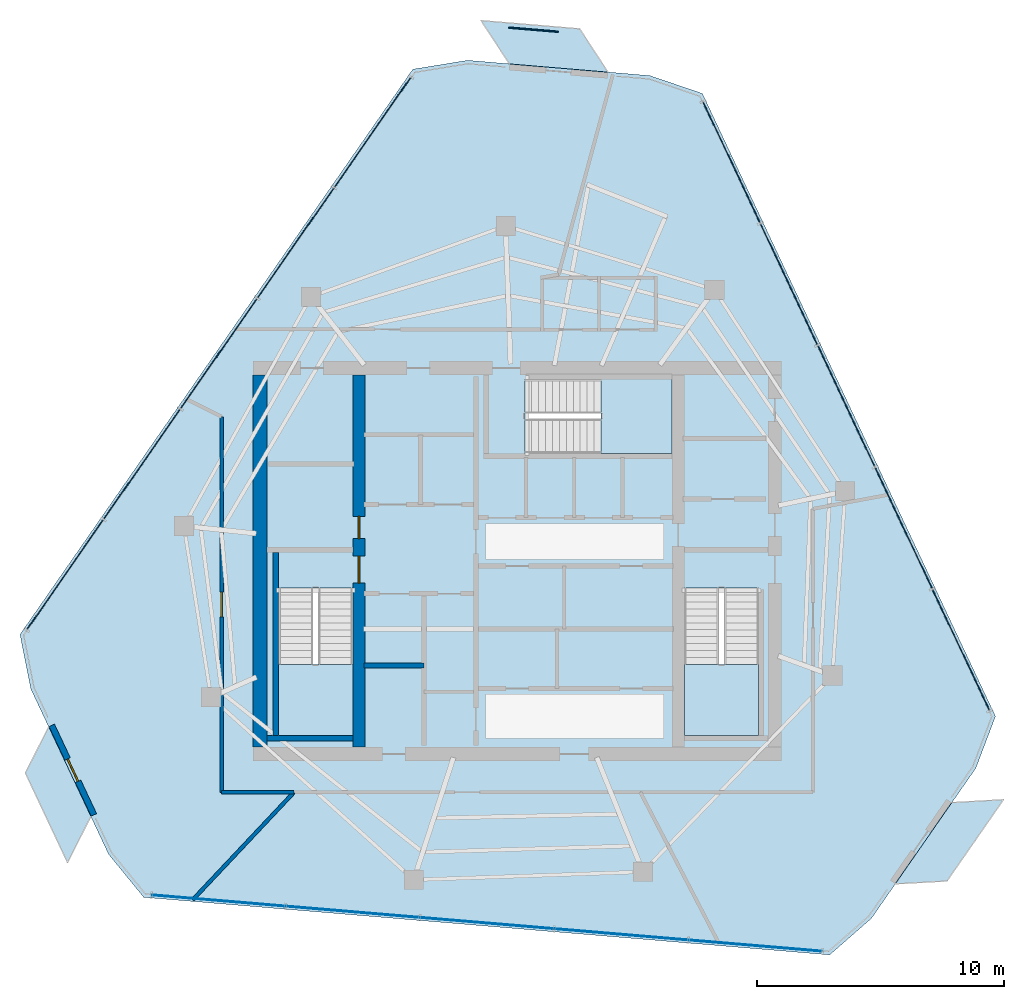
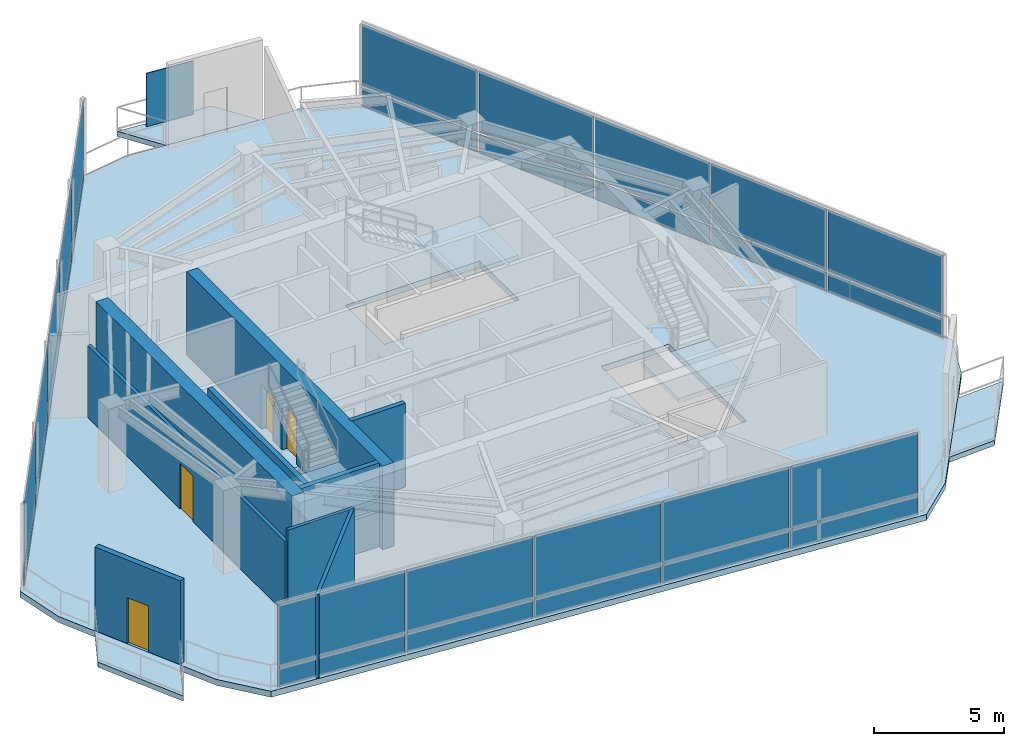
# One storey, part 14 of 19: 31 plates, 9 walls, 7 slabs, 4 doors, 4 openings, 6 elements without a shape of their own.
"""IFC4 building model written with IfcOpenShell, lengths in metres."""

import ifcopenshell
import ifcopenshell.guid

model = None  # the IFC model being written
_history = None  # IfcOwnerHistory: only IFC2X3 demands one
_inside = {}  # id of a spatial element -> (the spatial element, [elements in it])
_under = {}  # id of a project, library or spatial element -> (it, [spatial elements below it])
_declared = {}  # id of a project -> (the project, [libraries it declares])
_typed = {}  # id of a type object -> (the type object, [elements of that type])
_made_of = {}  # id of a material, layer set ... -> (it, [elements and type objects made of it])


def new_model(schema):
    """Start an empty IFC model of exactly this schema.

    Asked for "IFC4X3", IfcOpenShell would pick the latest addendum, in which some entities
    have other attributes; the version numbers below select the first issue.
    IFC2X3 requires an IfcOwnerHistory on every rooted entity: one is made here for all.
    """
    global model, _history
    if schema == "IFC4X3":
        model = ifcopenshell.file(schema_version=(4, 3, 0, 0))
    else:
        model = ifcopenshell.file(schema=schema)
    _inside.clear()
    _under.clear()
    _declared.clear()
    _typed.clear()
    _made_of.clear()
    _history = None
    if model.schema == "IFC2X3":
        org = make("IfcOrganization", Name="unknown")
        user = make(
            "IfcPersonAndOrganization",
            ThePerson=make("IfcPerson", FamilyName="unknown"),
            TheOrganization=org,
        )
        app = make(
            "IfcApplication",
            ApplicationDeveloper=org,
            Version="unknown",
            ApplicationFullName="unknown",
            ApplicationIdentifier="unknown",
        )
        _history = make(
            "IfcOwnerHistory",
            OwningUser=user,
            OwningApplication=app,
            ChangeAction="ADDED",
            CreationDate=0,
        )
    return model


def make(cls, **values):
    """One entity of the class cls with the attributes given. An attribute that is None is left unset."""
    return model.create_entity(
        cls, **{name: value for name, value in values.items() if value is not None}
    )


def rooted(cls, **values):
    """An entity with a GlobalId (a new one), such as an element, a storey or a relation."""
    return make(cls, GlobalId=ifcopenshell.guid.new(), OwnerHistory=_history, **values)


def si_unit(unit_type, name, prefix=None):
    """IfcSIUnit, for example si_unit("LENGTHUNIT", "METRE", prefix="MILLI")."""
    return make("IfcSIUnit", UnitType=unit_type, Prefix=prefix, Name=name)


def assignment(units):
    """IfcUnitAssignment: the units of a project."""
    return None if units is None else make("IfcUnitAssignment", Units=units)


def point(xyz):
    """IfcCartesianPoint."""
    return None if xyz is None else make("IfcCartesianPoint", Coordinates=xyz)


def direction(xyz):
    """IfcDirection."""
    return None if xyz is None else make("IfcDirection", DirectionRatios=xyz)


def frame(location, z_axis=None, x_axis=None):
    """IfcAxis2Placement3D, a coordinate frame: its origin and axes. An axis left out is left unset."""
    return make(
        "IfcAxis2Placement3D",
        Location=point(location),
        Axis=direction(z_axis),
        RefDirection=direction(x_axis),
    )


def frame_2d(location, x_axis=None):
    """IfcAxis2Placement2D, a coordinate frame in the plane: its origin and x axis."""
    return make(
        "IfcAxis2Placement2D", Location=point(location), RefDirection=direction(x_axis)
    )


def origin():
    """The frame at (0, 0, 0) with its axes left unset."""
    return frame((0.0, 0.0, 0.0))


def origin_2d():
    """The frame at (0, 0) in the plane with its x axis left unset."""
    return frame_2d((0.0, 0.0))


def place(relative_to, where):
    """IfcLocalPlacement: puts the frame where relative to a parent placement (None: the world)."""
    return make(
        "IfcLocalPlacement", PlacementRelTo=relative_to, RelativePlacement=where
    )


def context(
    kind, dimensions, precision=None, world=None, true_north=None, identifier=None
):
    """IfcGeometricRepresentationContext, for example the 3D "Model" context."""
    return make(
        "IfcGeometricRepresentationContext",
        ContextIdentifier=identifier,
        ContextType=kind,
        CoordinateSpaceDimension=dimensions,
        Precision=precision,
        WorldCoordinateSystem=world,
        TrueNorth=true_north,
    )


def subcontext(parent, identifier, kind, view, scale=None):
    """IfcGeometricRepresentationSubContext, for example "Body" below "Model"."""
    return make(
        "IfcGeometricRepresentationSubContext",
        ContextIdentifier=identifier,
        ContextType=kind,
        ParentContext=parent,
        TargetScale=scale,
        TargetView=view,
    )


def project(units=None, contexts=None):
    """IfcProject with its units and contexts."""
    return rooted(
        "IfcProject",
        Name="project",
        RepresentationContexts=contexts,
        UnitsInContext=assignment(units),
    )


def spatial(cls, under=None, at=None, **own):
    """A site, building, storey or space (cls), placed at a placement, below another one or the project."""
    s = rooted(cls, ObjectPlacement=at, **own)
    if under is not None:
        _under.setdefault(under.id(), (under, []))[1].append(s)
    return s


def polyline(points):
    """IfcPolyline through the points."""
    return make("IfcPolyline", Points=[point(p) for p in points])


def profile(cls, at=None, kind="AREA", **sizes):
    """A parametric profile (cls). Its sizes go by their IFC names, for example OverallWidth=200.0."""
    return make(cls, ProfileType=kind, Position=at, **sizes)


def rectangle(**sizes):
    """IfcRectangleProfileDef."""
    return profile("IfcRectangleProfileDef", **sizes)


def outline(outer, holes=None, kind="AREA"):
    """IfcArbitraryClosedProfileDef: a profile drawn as a closed curve; with holes, ...WithVoids."""
    if holes is None:
        return make("IfcArbitraryClosedProfileDef", ProfileType=kind, OuterCurve=outer)
    return make(
        "IfcArbitraryProfileDefWithVoids",
        ProfileType=kind,
        OuterCurve=outer,
        InnerCurves=holes,
    )


def extrude(swept, where, along, depth):
    """IfcExtrudedAreaSolid: the profile swept, set in the frame where, extruded along a direction by depth."""
    return make(
        "IfcExtrudedAreaSolid",
        SweptArea=swept,
        Position=where,
        ExtrudedDirection=direction(along),
        Depth=depth,
    )


def shape(context_of_items, identifier, shape_type, items):
    """IfcShapeRepresentation: the items that make up one representation, for example the "Body"."""
    return make(
        "IfcShapeRepresentation",
        ContextOfItems=context_of_items,
        RepresentationIdentifier=identifier,
        RepresentationType=shape_type,
        Items=items,
    )


def material(Name=None, Category=None):
    """IfcMaterial."""
    return make("IfcMaterial", Name=Name, Category=Category)


def layer(
    of_material, thickness, ventilated=None, Name=None, Category=None, Priority=None
):
    """IfcMaterialLayer: one layer of a wall or slab, of a material (None: an air gap)."""
    return make(
        "IfcMaterialLayer",
        Material=of_material,
        LayerThickness=thickness,
        IsVentilated=ventilated,
        Name=Name,
        Category=Category,
        Priority=Priority,
    )


def layer_set(layers, Name=None):
    """IfcMaterialLayerSet."""
    return make("IfcMaterialLayerSet", MaterialLayers=layers, LayerSetName=Name)


def made_of(thing, what):
    """Note that an element or type object is made of a material, layer set ...; save() writes the relation."""
    if what is not None:
        _made_of.setdefault(what.id(), (what, []))[1].append(thing)
    return thing


def type_object(cls, material=None, **own):
    """A type object (cls), such as IfcWallType, which elements share."""
    return made_of(rooted(cls, **own), material)


def element(
    cls,
    number,
    at=None,
    inside=None,
    cuts=None,
    type_object=None,
    material=None,
    context=None,
    identifier="Body",
    shape_type=None,
    held_by="IfcProductDefinitionShape",
    body=None,
    shapes=None,
    **own,
):
    """One element of the class cls, such as IfcWall. Its Tag is "e" and its number.

    at: its placement. inside: the storey or other place that contains it. cuts: it is an
    opening in that element (IfcRelVoidsElement). A single representation is given by context,
    identifier, shape_type and body (its items); several are given by shapes. held_by: the class
    of the entity that holds the representations. save() writes the other relations.
    """
    e = rooted(cls, Tag="e%d" % number, ObjectPlacement=at, **own)
    if body is not None:
        shapes = [shape(context, identifier, shape_type, body)]
    if shapes is not None:
        e.Representation = make(held_by, Representations=shapes)
    if inside is not None:
        _inside.setdefault(inside.id(), (inside, []))[1].append(e)
    if cuts is not None:
        rooted(
            "IfcRelVoidsElement", RelatingBuildingElement=cuts, RelatedOpeningElement=e
        )
    if type_object is not None:
        _typed.setdefault(type_object.id(), (type_object, []))[1].append(e)
    return made_of(e, material)


def fill(opening, filler):
    """IfcRelFillsElement: the door or window that sits in an opening."""
    return rooted(
        "IfcRelFillsElement",
        RelatingOpeningElement=opening,
        RelatedBuildingElement=filler,
    )


def aggregate(whole, parts):
    """IfcRelAggregates: a whole, such as a stair, and the parts it consists of."""
    return rooted("IfcRelAggregates", RelatingObject=whole, RelatedObjects=parts)


def save(model, path):
    """Write the relations noted so far, then the file.

    IfcRelAggregates (storeys below a building ...), IfcRelContainedInSpatialStructure (elements
    in a storey), IfcRelDefinesByType, IfcRelAssociatesMaterial and IfcRelDeclares: one each for
    every whole, place, type object, material and project.
    """
    for whole, parts in _under.values():
        aggregate(whole, parts)
    for where, things in _inside.values():
        rooted(
            "IfcRelContainedInSpatialStructure",
            RelatedElements=things,
            RelatingStructure=where,
        )
    for kind, things in _typed.values():
        rooted("IfcRelDefinesByType", RelatedObjects=things, RelatingType=kind)
    for what, things in _made_of.values():
        rooted("IfcRelAssociatesMaterial", RelatedObjects=things, RelatingMaterial=what)
    for by, libraries in _declared.values():
        rooted("IfcRelDeclares", RelatingContext=by, RelatedDefinitions=libraries)
    model.write(path)


model = new_model("IFC4")

# Units and contexts
model_context = context("Model", 3, precision=1e-05, world=origin(), true_north=direction((0.0, 1.0)))
body_context = subcontext(model_context, "Body", "Model", "MODEL_VIEW")
ifc_project = project(units=[si_unit("LENGTHUNIT", "METRE"), si_unit("AREAUNIT", "SQUARE_METRE"), si_unit("VOLUMEUNIT", "CUBIC_METRE"), si_unit("PLANEANGLEUNIT", "RADIAN"), si_unit("MASSUNIT", "GRAM", prefix="KILO")], contexts=[model_context])

# Site, building, storey
site_placement = place(None, origin())
site = spatial("IfcSite", under=ifc_project, at=site_placement, CompositionType="ELEMENT")
building_placement = place(site_placement, origin())
building = spatial("IfcBuilding", under=site, at=building_placement, Name="Qarnah Convention Tower", CompositionType="ELEMENT")
storey_placement = place(building_placement, frame((0.0, 0.0, 275.10009765625)))
storey = spatial("IfcBuildingStorey", under=building, at=storey_placement, Name="L74", CompositionType="ELEMENT", Elevation=275.10009765625)

# Curtain wall, plates
ifc_material_1 = material(Name="Tempered Low-E dark glass", Category="glass")
ifc_layer_1 = layer(ifc_material_1, 0.177978515625)
ifc_layer_set_1 = layer_set([ifc_layer_1], Name="Tempered Low-E dark glass")
curtain_wall_type = type_object("IfcCurtainWallType", Name="CWS-06", PredefinedType="NOTDEFINED", material=ifc_layer_set_1)
curtain_wall_1_placement = place(storey_placement, origin())
curtain_wall_1 = element("IfcCurtainWall", 1, at=curtain_wall_1_placement, inside=storey, type_object=curtain_wall_type, Name="L74 unitised curtain wall CW-L74-F1", PredefinedType="NOTDEFINED")
ifc_layer_2 = layer(ifc_material_1, 0.0380859375)
ifc_layer_set_2 = layer_set([ifc_layer_2], Name="Tempered Low-E dark glass")
plate_type_1 = type_object("IfcPlateType", Name="PNL-T6", PredefinedType="CURTAIN_PANEL", material=ifc_layer_set_2)
plate_1_placement = place(storey_placement, frame((45.85595703125, 42.506103515625, 0.039794921875), z_axis=(0.0, 0.0, 1.0), x_axis=(0.425793504503, -0.904820364229, 0.0)))
plate_1 = element("IfcPlate", 2, at=plate_1_placement, type_object=plate_type_1, Name="CW-L74-F1 curtain panel 1.1", PredefinedType="CURTAIN_PANEL", context=body_context, shape_type="SweptSolid", body=[
    extrude(rectangle(XDim=5.364013671875, YDim=0.0380859375, at=origin_2d()), origin(), (0.0, 0.0, 1.0), 0.8701171875),
])
plate_2_placement = place(storey_placement, frame((45.85595703125, 42.506103515625, 0.98974609375), z_axis=(0.0, 0.0, 1.0), x_axis=(0.425793504503, -0.904820364229, 0.0)))
plate_2 = element("IfcPlate", 3, at=plate_2_placement, type_object=plate_type_1, Name="CW-L74-F1 curtain panel 1.2", PredefinedType="CURTAIN_PANEL", context=body_context, shape_type="SweptSolid", body=[
    extrude(rectangle(XDim=5.364013671875, YDim=0.0380859375, at=origin_2d()), origin(), (0.0, 0.0, 1.0), 2.889892578125),
])
plate_3_placement = place(storey_placement, frame((48.174072265625, 37.580322265625, 0.039794921875), z_axis=(0.0, 0.0, 1.0), x_axis=(0.425793504503, -0.904820364229, 0.0)))
plate_3 = element("IfcPlate", 4, at=plate_3_placement, type_object=plate_type_1, Name="CW-L74-F1 curtain panel 2.1", PredefinedType="CURTAIN_PANEL", context=body_context, shape_type="SweptSolid", body=[
    extrude(rectangle(XDim=5.364013671875, YDim=0.0380859375, at=origin_2d()), origin(), (0.0, 0.0, 1.0), 0.8701171875),
])
plate_4_placement = place(storey_placement, frame((48.174072265625, 37.580322265625, 0.98974609375), z_axis=(0.0, 0.0, 1.0), x_axis=(0.425793504503, -0.904820364229, 0.0)))
plate_4 = element("IfcPlate", 5, at=plate_4_placement, type_object=plate_type_1, Name="CW-L74-F1 curtain panel 2.2", PredefinedType="CURTAIN_PANEL", context=body_context, shape_type="SweptSolid", body=[
    extrude(rectangle(XDim=5.364013671875, YDim=0.0380859375, at=origin_2d()), origin(), (0.0, 0.0, 1.0), 2.889892578125),
])
plate_5_placement = place(storey_placement, frame((50.491943359375, 32.654541015625, 0.039794921875), z_axis=(0.0, 0.0, 1.0), x_axis=(0.425793504503, -0.904820364229, 0.0)))
plate_5 = element("IfcPlate", 6, at=plate_5_placement, type_object=plate_type_1, Name="CW-L74-F1 curtain panel 3.1", PredefinedType="CURTAIN_PANEL", context=body_context, shape_type="SweptSolid", body=[
    extrude(rectangle(XDim=5.364013671875, YDim=0.0380859375, at=origin_2d()), origin(), (0.0, 0.0, 1.0), 0.8701171875),
])
plate_6_placement = place(storey_placement, frame((50.491943359375, 32.654541015625, 0.98974609375), z_axis=(0.0, 0.0, 1.0), x_axis=(0.425793504503, -0.904820364229, 0.0)))
plate_6 = element("IfcPlate", 7, at=plate_6_placement, type_object=plate_type_1, Name="CW-L74-F1 curtain panel 3.2", PredefinedType="CURTAIN_PANEL", context=body_context, shape_type="SweptSolid", body=[
    extrude(rectangle(XDim=5.364013671875, YDim=0.0380859375, at=origin_2d()), origin(), (0.0, 0.0, 1.0), 2.889892578125),
])
plate_7_placement = place(storey_placement, frame((52.81005859375, 27.728759765625, 0.039794921875), z_axis=(0.0, 0.0, 1.0), x_axis=(0.425793504503, -0.904820364229, 0.0)))
plate_7 = element("IfcPlate", 8, at=plate_7_placement, type_object=plate_type_1, Name="CW-L74-F1 curtain panel 4.1", PredefinedType="CURTAIN_PANEL", context=body_context, shape_type="SweptSolid", body=[
    extrude(rectangle(XDim=5.364013671875, YDim=0.0380859375, at=origin_2d()), origin(), (0.0, 0.0, 1.0), 0.8701171875),
])
plate_8_placement = place(storey_placement, frame((52.81005859375, 27.728759765625, 0.98974609375), z_axis=(0.0, 0.0, 1.0), x_axis=(0.425793504503, -0.904820364229, 0.0)))
plate_8 = element("IfcPlate", 9, at=plate_8_placement, type_object=plate_type_1, Name="CW-L74-F1 curtain panel 4.2", PredefinedType="CURTAIN_PANEL", context=body_context, shape_type="SweptSolid", body=[
    extrude(rectangle(XDim=5.364013671875, YDim=0.0380859375, at=origin_2d()), origin(), (0.0, 0.0, 1.0), 2.889892578125),
])
plate_9_placement = place(storey_placement, frame((55.1279296875, 22.802978515625, 0.039794921875), z_axis=(0.0, 0.0, 1.0), x_axis=(0.425793504503, -0.904820364229, 0.0)))
plate_9 = element("IfcPlate", 10, at=plate_9_placement, type_object=plate_type_1, Name="CW-L74-F1 curtain panel 5.1", PredefinedType="CURTAIN_PANEL", context=body_context, shape_type="SweptSolid", body=[
    extrude(rectangle(XDim=5.364013671875, YDim=0.0380859375, at=origin_2d()), origin(), (0.0, 0.0, 1.0), 0.8701171875),
])
plate_10_placement = place(storey_placement, frame((55.1279296875, 22.802978515625, 0.98974609375), z_axis=(0.0, 0.0, 1.0), x_axis=(0.425793504503, -0.904820364229, 0.0)))
plate_10 = element("IfcPlate", 11, at=plate_10_placement, type_object=plate_type_1, Name="CW-L74-F1 curtain panel 5.2", PredefinedType="CURTAIN_PANEL", context=body_context, shape_type="SweptSolid", body=[
    extrude(rectangle(XDim=5.364013671875, YDim=0.0380859375, at=origin_2d()), origin(), (0.0, 0.0, 1.0), 2.889892578125),
])
aggregate(curtain_wall_1, [plate_1, plate_2, plate_3, plate_4, plate_5, plate_6, plate_7, plate_8, plate_9, plate_10])

curtain_wall_2_placement = place(storey_placement, origin())
curtain_wall_2 = element("IfcCurtainWall", 12, at=curtain_wall_2_placement, inside=storey, type_object=curtain_wall_type, Name="L74 unitised curtain wall CW-L74-F2", PredefinedType="NOTDEFINED")
plate_11_placement = place(storey_placement, frame((46.820556640625, 10.8505859375, 0.039794921875), z_axis=(0.0, 0.0, 1.0), x_axis=(-0.996494899207, 0.08365354657, 0.0)))
plate_11 = element("IfcPlate", 13, at=plate_11_placement, type_object=plate_type_1, Name="CW-L74-F2 curtain panel 1.1", PredefinedType="CURTAIN_PANEL", context=body_context, shape_type="SweptSolid", body=[
    extrude(rectangle(XDim=5.36376953125, YDim=0.0380859375, at=origin_2d()), origin(), (0.0, 0.0, 1.0), 0.8701171875),
])
plate_12_placement = place(storey_placement, frame((46.820556640625, 10.8505859375, 0.98974609375), z_axis=(0.0, 0.0, 1.0), x_axis=(-0.996494899207, 0.08365354657, 0.0)))
plate_12 = element("IfcPlate", 14, at=plate_12_placement, type_object=plate_type_1, Name="CW-L74-F2 curtain panel 1.2", PredefinedType="CURTAIN_PANEL", context=body_context, shape_type="SweptSolid", body=[
    extrude(rectangle(XDim=5.36376953125, YDim=0.0380859375, at=origin_2d()), origin(), (0.0, 0.0, 1.0), 2.889892578125),
])
plate_13_placement = place(storey_placement, frame((41.395751953125, 11.30615234375, 0.039794921875), z_axis=(0.0, 0.0, 1.0), x_axis=(-0.996494899207, 0.08365354657, 0.0)))
plate_13 = element("IfcPlate", 15, at=plate_13_placement, type_object=plate_type_1, Name="CW-L74-F2 curtain panel 2.1", PredefinedType="CURTAIN_PANEL", context=body_context, shape_type="SweptSolid", body=[
    extrude(rectangle(XDim=5.36376953125, YDim=0.0380859375, at=origin_2d()), origin(), (0.0, 0.0, 1.0), 0.8701171875),
])
plate_14_placement = place(storey_placement, frame((41.395751953125, 11.30615234375, 0.98974609375), z_axis=(0.0, 0.0, 1.0), x_axis=(-0.996494899207, 0.08365354657, 0.0)))
plate_14 = element("IfcPlate", 16, at=plate_14_placement, type_object=plate_type_1, Name="CW-L74-F2 curtain panel 2.2", PredefinedType="CURTAIN_PANEL", context=body_context, shape_type="SweptSolid", body=[
    extrude(rectangle(XDim=5.36376953125, YDim=0.0380859375, at=origin_2d()), origin(), (0.0, 0.0, 1.0), 2.889892578125),
])
plate_15_placement = place(storey_placement, frame((35.970947265625, 11.761474609375, 0.039794921875), z_axis=(0.0, 0.0, 1.0), x_axis=(-0.996494899207, 0.08365354657, 0.0)))
plate_15 = element("IfcPlate", 17, at=plate_15_placement, type_object=plate_type_1, Name="CW-L74-F2 curtain panel 3.1", PredefinedType="CURTAIN_PANEL", context=body_context, shape_type="SweptSolid", body=[
    extrude(rectangle(XDim=5.36376953125, YDim=0.0380859375, at=origin_2d()), origin(), (0.0, 0.0, 1.0), 0.8701171875),
])
plate_16_placement = place(storey_placement, frame((35.970947265625, 11.761474609375, 0.98974609375), z_axis=(0.0, 0.0, 1.0), x_axis=(-0.996494899207, 0.08365354657, 0.0)))
plate_16 = element("IfcPlate", 18, at=plate_16_placement, type_object=plate_type_1, Name="CW-L74-F2 curtain panel 3.2", PredefinedType="CURTAIN_PANEL", context=body_context, shape_type="SweptSolid", body=[
    extrude(rectangle(XDim=5.36376953125, YDim=0.0380859375, at=origin_2d()), origin(), (0.0, 0.0, 1.0), 2.889892578125),
])
plate_17_placement = place(storey_placement, frame((30.546142578125, 12.216796875, 0.039794921875), z_axis=(0.0, 0.0, 1.0), x_axis=(-0.996494899207, 0.08365354657, 0.0)))
plate_17 = element("IfcPlate", 19, at=plate_17_placement, type_object=plate_type_1, Name="CW-L74-F2 curtain panel 4.1", PredefinedType="CURTAIN_PANEL", context=body_context, shape_type="SweptSolid", body=[
    extrude(rectangle(XDim=5.36376953125, YDim=0.0380859375, at=origin_2d()), origin(), (0.0, 0.0, 1.0), 0.8701171875),
])
plate_18_placement = place(storey_placement, frame((30.546142578125, 12.216796875, 0.98974609375), z_axis=(0.0, 0.0, 1.0), x_axis=(-0.996494899207, 0.08365354657, 0.0)))
plate_18 = element("IfcPlate", 20, at=plate_18_placement, type_object=plate_type_1, Name="CW-L74-F2 curtain panel 4.2", PredefinedType="CURTAIN_PANEL", context=body_context, shape_type="SweptSolid", body=[
    extrude(rectangle(XDim=5.36376953125, YDim=0.0380859375, at=origin_2d()), origin(), (0.0, 0.0, 1.0), 2.889892578125),
])
plate_19_placement = place(storey_placement, frame((25.121337890625, 12.67236328125, 0.039794921875), z_axis=(0.0, 0.0, 1.0), x_axis=(-0.996494899207, 0.08365354657, 0.0)))
plate_19 = element("IfcPlate", 21, at=plate_19_placement, type_object=plate_type_1, Name="CW-L74-F2 curtain panel 5.1", PredefinedType="CURTAIN_PANEL", context=body_context, shape_type="SweptSolid", body=[
    extrude(rectangle(XDim=5.36376953125, YDim=0.0380859375, at=origin_2d()), origin(), (0.0, 0.0, 1.0), 0.8701171875),
])
plate_20_placement = place(storey_placement, frame((25.121337890625, 12.67236328125, 0.98974609375), z_axis=(0.0, 0.0, 1.0), x_axis=(-0.996494899207, 0.08365354657, 0.0)))
plate_20 = element("IfcPlate", 22, at=plate_20_placement, type_object=plate_type_1, Name="CW-L74-F2 curtain panel 5.2", PredefinedType="CURTAIN_PANEL", context=body_context, shape_type="SweptSolid", body=[
    extrude(rectangle(XDim=5.36376953125, YDim=0.0380859375, at=origin_2d()), origin(), (0.0, 0.0, 1.0), 2.889892578125),
])
aggregate(curtain_wall_2, [plate_11, plate_12, plate_13, plate_14, plate_15, plate_16, plate_17, plate_18, plate_19, plate_20])

curtain_wall_3_placement = place(storey_placement, origin())
curtain_wall_3 = element("IfcCurtainWall", 23, at=curtain_wall_3_placement, inside=storey, type_object=curtain_wall_type, Name="L74 unitised curtain wall CW-L74-F3", PredefinedType="NOTDEFINED")
plate_21_placement = place(storey_placement, frame((18.92333984375, 25.843994140625, 0.039794921875), z_axis=(0.0, 0.0, 1.0), x_axis=(0.570722123713, 0.821143262473, 0.0)))
plate_21 = element("IfcPlate", 24, at=plate_21_placement, type_object=plate_type_1, Name="CW-L74-F3 curtain panel 1.1", PredefinedType="CURTAIN_PANEL", context=body_context, shape_type="SweptSolid", body=[
    extrude(rectangle(XDim=5.363525390625, YDim=0.0380859375, at=origin_2d()), origin(), (0.0, 0.0, 1.0), 0.8701171875),
])
plate_22_placement = place(storey_placement, frame((18.92333984375, 25.843994140625, 0.98974609375), z_axis=(0.0, 0.0, 1.0), x_axis=(0.570722123713, 0.821143262473, 0.0)))
plate_22 = element("IfcPlate", 25, at=plate_22_placement, type_object=plate_type_1, Name="CW-L74-F3 curtain panel 1.2", PredefinedType="CURTAIN_PANEL", context=body_context, shape_type="SweptSolid", body=[
    extrude(rectangle(XDim=5.363525390625, YDim=0.0380859375, at=origin_2d()), origin(), (0.0, 0.0, 1.0), 2.889892578125),
])
plate_23_placement = place(storey_placement, frame((22.0302734375, 30.31396484375, 0.039794921875), z_axis=(0.0, 0.0, 1.0), x_axis=(0.570722123713, 0.821143262473, 0.0)))
plate_23 = element("IfcPlate", 26, at=plate_23_placement, type_object=plate_type_1, Name="CW-L74-F3 curtain panel 2.1", PredefinedType="CURTAIN_PANEL", context=body_context, shape_type="SweptSolid", body=[
    extrude(rectangle(XDim=5.363525390625, YDim=0.0380859375, at=origin_2d()), origin(), (0.0, 0.0, 1.0), 0.8701171875),
])
plate_24_placement = place(storey_placement, frame((22.0302734375, 30.31396484375, 0.98974609375), z_axis=(0.0, 0.0, 1.0), x_axis=(0.570722123713, 0.821143262473, 0.0)))
plate_24 = element("IfcPlate", 27, at=plate_24_placement, type_object=plate_type_1, Name="CW-L74-F3 curtain panel 2.2", PredefinedType="CURTAIN_PANEL", context=body_context, shape_type="SweptSolid", body=[
    extrude(rectangle(XDim=5.363525390625, YDim=0.0380859375, at=origin_2d()), origin(), (0.0, 0.0, 1.0), 2.889892578125),
])
plate_25_placement = place(storey_placement, frame((25.136962890625, 34.783935546875, 0.039794921875), z_axis=(0.0, 0.0, 1.0), x_axis=(0.570722123713, 0.821143262473, 0.0)))
plate_25 = element("IfcPlate", 28, at=plate_25_placement, type_object=plate_type_1, Name="CW-L74-F3 curtain panel 3.1", PredefinedType="CURTAIN_PANEL", context=body_context, shape_type="SweptSolid", body=[
    extrude(rectangle(XDim=5.363525390625, YDim=0.0380859375, at=origin_2d()), origin(), (0.0, 0.0, 1.0), 0.8701171875),
])
plate_26_placement = place(storey_placement, frame((25.136962890625, 34.783935546875, 0.98974609375), z_axis=(0.0, 0.0, 1.0), x_axis=(0.570722123713, 0.821143262473, 0.0)))
plate_26 = element("IfcPlate", 29, at=plate_26_placement, type_object=plate_type_1, Name="CW-L74-F3 curtain panel 3.2", PredefinedType="CURTAIN_PANEL", context=body_context, shape_type="SweptSolid", body=[
    extrude(rectangle(XDim=5.363525390625, YDim=0.0380859375, at=origin_2d()), origin(), (0.0, 0.0, 1.0), 2.889892578125),
])
plate_27_placement = place(storey_placement, frame((28.243896484375, 39.25390625, 0.039794921875), z_axis=(0.0, 0.0, 1.0), x_axis=(0.570722123713, 0.821143262473, 0.0)))
plate_27 = element("IfcPlate", 30, at=plate_27_placement, type_object=plate_type_1, Name="CW-L74-F3 curtain panel 4.1", PredefinedType="CURTAIN_PANEL", context=body_context, shape_type="SweptSolid", body=[
    extrude(rectangle(XDim=5.363525390625, YDim=0.0380859375, at=origin_2d()), origin(), (0.0, 0.0, 1.0), 0.8701171875),
])
plate_28_placement = place(storey_placement, frame((28.243896484375, 39.25390625, 0.98974609375), z_axis=(0.0, 0.0, 1.0), x_axis=(0.570722123713, 0.821143262473, 0.0)))
plate_28 = element("IfcPlate", 31, at=plate_28_placement, type_object=plate_type_1, Name="CW-L74-F3 curtain panel 4.2", PredefinedType="CURTAIN_PANEL", context=body_context, shape_type="SweptSolid", body=[
    extrude(rectangle(XDim=5.363525390625, YDim=0.0380859375, at=origin_2d()), origin(), (0.0, 0.0, 1.0), 2.889892578125),
])
plate_29_placement = place(storey_placement, frame((31.3505859375, 43.72412109375, 0.039794921875), z_axis=(0.0, 0.0, 1.0), x_axis=(0.570722123713, 0.821143262473, 0.0)))
plate_29 = element("IfcPlate", 32, at=plate_29_placement, type_object=plate_type_1, Name="CW-L74-F3 curtain panel 5.1", PredefinedType="CURTAIN_PANEL", context=body_context, shape_type="SweptSolid", body=[
    extrude(rectangle(XDim=5.363525390625, YDim=0.0380859375, at=origin_2d()), origin(), (0.0, 0.0, 1.0), 0.8701171875),
])
plate_30_placement = place(storey_placement, frame((31.3505859375, 43.72412109375, 0.98974609375), z_axis=(0.0, 0.0, 1.0), x_axis=(0.570722123713, 0.821143262473, 0.0)))
plate_30 = element("IfcPlate", 33, at=plate_30_placement, type_object=plate_type_1, Name="CW-L74-F3 curtain panel 5.2", PredefinedType="CURTAIN_PANEL", context=body_context, shape_type="SweptSolid", body=[
    extrude(rectangle(XDim=5.363525390625, YDim=0.0380859375, at=origin_2d()), origin(), (0.0, 0.0, 1.0), 2.889892578125),
])
aggregate(curtain_wall_3, [plate_21, plate_22, plate_23, plate_24, plate_25, plate_26, plate_27, plate_28, plate_29, plate_30])

# Plate
ifc_material_2 = material(Name="Black anodised aluminium", Category="aluminium")
ifc_layer_3 = layer(ifc_material_2, 0.044921875)
ifc_layer_set_3 = layer_set([ifc_layer_3], Name="Black anodised aluminium")
plate_type_2 = type_object("IfcPlateType", Name="SCR-BAL-18", PredefinedType="USERDEFINED", material=ifc_layer_set_3)
plate_31_placement = place(storey_placement, frame((37.85693359375, 47.8701171875, 0.0), z_axis=(0.0, 0.0, 1.0), x_axis=(0.996507740088, -0.083500442777, 0.0)))
element("IfcPlate", 34, at=plate_31_placement, inside=storey, type_object=plate_type_2, Name="L74 perforated desert solar screen BAL-L74-C1", ObjectType="SCREEN", PredefinedType="USERDEFINED", context=body_context, shape_type="SweptSolid", body=[
    extrude(rectangle(XDim=2.0, YDim=0.044921875, at=origin_2d()), origin(), (0.0, 0.0, 1.0), 2.5),
])

# Slabs
ifc_material_3 = material(Name="Concrete C45/55", Category="concrete")
ifc_layer_4 = layer(ifc_material_3, 0.239990234375)
ifc_layer_set_4 = layer_set([ifc_layer_4], Name="Concrete C45/55")
slab_type_1 = type_object("IfcSlabType", Name="SLB-BAL-240", PredefinedType="USERDEFINED", material=ifc_layer_set_4)
slab_1_placement = place(storey_placement, frame((0.0, 0.0, -0.239990234375)))
element("IfcSlab", 35, at=slab_1_placement, inside=storey, type_object=slab_type_1, Name="L74 cantilevered balcony slab BAL-L74-C1", ObjectType="BALCONY", PredefinedType="USERDEFINED", context=body_context, shape_type="SweptSolid", body=[
    extrude(outline(polyline([(35.73291015625, 48.238037109375), (39.718994140625, 47.904052734375), (40.864990234375, 46.153076171875), (36.87890625, 46.487060546875), (35.73291015625, 48.238037109375)])), origin(), (0.0, 0.0, 1.0), 0.239990234375),
])
slab_2_placement = place(storey_placement, frame((0.0, 0.0, -0.239990234375)))
element("IfcSlab", 36, at=slab_2_placement, inside=storey, type_object=slab_type_1, Name="L74 cantilevered balcony slab BAL-L74-C2", ObjectType="BALCONY", PredefinedType="USERDEFINED", context=body_context, shape_type="SweptSolid", body=[
    extrude(outline(polyline([(19.02099609375, 14.2109375), (17.318115234375, 17.830078125), (18.260986328125, 19.697998046875), (19.965087890625, 16.077880859375), (19.02099609375, 14.2109375)])), origin(), (0.0, 0.0, 1.0), 0.239990234375),
])
slab_3_placement = place(storey_placement, frame((0.0, 0.0, -0.239990234375)))
element("IfcSlab", 37, at=slab_3_placement, inside=storey, type_object=slab_type_1, Name="L74 cantilevered balcony slab BAL-L74-C3", ObjectType="BALCONY", PredefinedType="USERDEFINED", context=body_context, shape_type="SweptSolid", body=[
    extrude(outline(polyline([(56.845947265625, 16.7509765625), (54.56298828125, 13.467041015625), (52.47412109375, 13.35009765625), (54.757080078125, 16.634033203125), (56.845947265625, 16.7509765625)])), origin(), (0.0, 0.0, 1.0), 0.239990234375),
])

# Stair, slab
ifc_material_4 = material(Name="Concrete C50/60", Category="concrete")
stair_type = type_object("IfcStairType", Name="STR-SUM", PredefinedType="HALF_TURN_STAIR", material=ifc_material_4)
stair_1_placement = place(storey_placement, origin())
stair_1 = element("IfcStair", 38, at=stair_1_placement, inside=storey, type_object=stair_type, Name="L74 Core exit stair ST-1", PredefinedType="HALF_TURN_STAIR")
ifc_layer_5 = layer(ifc_material_4, 0.199951171875)
ifc_layer_set_5 = layer_set([ifc_layer_5], Name="Concrete C50/60")
slab_type_2 = type_object("IfcSlabType", Name="SLB-LANDING-200", PredefinedType="LANDING", material=ifc_layer_set_5)
slab_4_placement = place(storey_placement, frame((0.0, 0.0, 1.89990234375)))
slab_4 = element("IfcSlab", 39, at=slab_4_placement, type_object=slab_type_2, Name="ST-1 landing 1", PredefinedType="LANDING", context=body_context, shape_type="SweptSolid", body=[
    extrude(outline(polyline([(27.550048828125, 22.219970703125), (27.550048828125, 19.35009765625), (30.550048828125, 19.35009765625), (30.550048828125, 22.219970703125), (27.550048828125, 22.219970703125)])), origin(), (0.0, 0.0, 1.0), 0.199951171875),
])
aggregate(stair_1, [slab_4])

stair_2_placement = place(storey_placement, origin())
stair_2 = element("IfcStair", 40, at=stair_2_placement, inside=storey, type_object=stair_type, Name="L74 Core exit stair ST-2", PredefinedType="HALF_TURN_STAIR")
slab_5_placement = place(storey_placement, frame((0.0, 0.0, 1.89990234375)))
slab_5 = element("IfcSlab", 41, at=slab_5_placement, type_object=slab_type_2, Name="ST-2 landing 1", PredefinedType="LANDING", context=body_context, shape_type="SweptSolid", body=[
    extrude(outline(polyline([(43.949951171875, 22.219970703125), (43.949951171875, 19.35009765625), (46.949951171875, 19.35009765625), (46.949951171875, 22.219970703125), (43.949951171875, 22.219970703125)])), origin(), (0.0, 0.0, 1.0), 0.199951171875),
])
aggregate(stair_2, [slab_5])

stair_3_placement = place(storey_placement, origin())
stair_3 = element("IfcStair", 42, at=stair_3_placement, inside=storey, type_object=stair_type, Name="L74 Core exit stair ST-3", PredefinedType="HALF_TURN_STAIR")
slab_6_placement = place(storey_placement, frame((0.0, 0.0, 1.89990234375)))
slab_6 = element("IfcSlab", 43, at=slab_6_placement, type_object=slab_type_2, Name="ST-3 landing 1", PredefinedType="LANDING", context=body_context, shape_type="SweptSolid", body=[
    extrude(outline(polyline([(40.580078125, 30.75), (43.449951171875, 30.75), (43.449951171875, 33.75), (40.580078125, 33.75), (40.580078125, 30.75)])), origin(), (0.0, 0.0, 1.0), 0.199951171875),
])
aggregate(stair_3, [slab_6])

# Slab
ifc_layer_6 = layer(ifc_material_3, 0.280029296875)
ifc_layer_set_6 = layer_set([ifc_layer_6], Name="Concrete C45/55")
slab_type_3 = type_object("IfcSlabType", Name="SLB-TWR-280", PredefinedType="FLOOR", material=ifc_layer_set_6)
slab_7_placement = place(storey_placement, frame((0.0, 0.0, -0.280029296875)))
element("IfcSlab", 44, at=slab_7_placement, inside=storey, type_object=slab_type_3, Name="L74 structural floor slab", PredefinedType="FLOOR", context=body_context, shape_type="SweptSolid", body=[
    extrude(outline(polyline([(32.97705078125, 46.27392578125), (17.10009765625, 23.430908203125), (17.535888671875, 21.22998046875), (20.681884765625, 14.5439453125), (22.10009765625, 12.805908203125), (49.822021484375, 10.47802734375), (51.509033203125, 11.955078125), (55.72705078125, 18.02294921875), (56.52294921875, 20.1201171875), (44.677978515625, 45.2919921875), (42.554931640625, 46.014892578125), (35.19091796875, 46.633056640625), (32.97705078125, 46.27392578125)]), holes=[polyline([(27.550048828125, 25.300048828125), (27.550048828125, 19.35009765625), (30.550048828125, 19.35009765625), (30.550048828125, 25.300048828125), (27.550048828125, 25.300048828125)]), polyline([(43.949951171875, 25.300048828125), (43.949951171875, 19.35009765625), (46.949951171875, 19.35009765625), (46.949951171875, 25.300048828125), (43.949951171875, 25.300048828125)]), polyline([(37.5, 30.75), (43.449951171875, 30.75), (43.449951171875, 33.75), (37.5, 33.75), (37.5, 30.75)])]), origin(), (0.0, 0.0, 1.0), 0.280029296875),
])

# Wall
ifc_material_5 = material(Name="Concrete C60/75", Category="concrete")
ifc_layer_7 = layer(ifc_material_5, 0.550048828125)
ifc_layer_set_7 = layer_set([ifc_layer_7], Name="Concrete C60/75")
wall_type_1 = type_object("IfcWallType", Name="WL-CORE-550", PredefinedType="SHEAR", material=ifc_layer_set_7)
wall_1_placement = place(storey_placement, frame((26.800048828125, 18.875, 0.0), z_axis=(0.0, 0.0, 1.0), x_axis=(0.0, 1.0, 0.0)))
element("IfcWall", 45, at=wall_1_placement, inside=storey, type_object=wall_type_1, Name="L74 core west shear wall", PredefinedType="SHEAR", context=body_context, shape_type="SweptSolid", body=[
    extrude(rectangle(XDim=15.050048828125, YDim=0.550048828125, at=frame_2d((7.52490234375, 0.0))), origin(), (0.0, 0.0, 1.0), 3.919921875),
])

# Wall, openings, doors
ifc_layer_8 = layer(ifc_material_5, 0.5)
ifc_layer_set_8 = layer_set([ifc_layer_8], Name="Concrete C60/75")
wall_type_2 = type_object("IfcWallType", Name="WL-CORE-INT-400", PredefinedType="SHEAR", material=ifc_layer_set_8)
wall_2_placement = place(storey_placement, frame((30.800048828125, 18.875, 0.0), z_axis=(0.0, 0.0, 1.0), x_axis=(0.0, 1.0, 0.0)))
wall_2 = element("IfcWall", 46, at=wall_2_placement, inside=storey, type_object=wall_type_2, Name="L74 core west spine shear wall", PredefinedType="SHEAR", context=body_context, shape_type="SweptSolid", body=[
    extrude(rectangle(XDim=15.050048828125, YDim=0.5, at=frame_2d((7.52490234375, 0.0))), origin(), (0.0, 0.0, 1.0), 3.919921875),
])
opening_1_placement = place(wall_2_placement, frame((6.625, 0.0, 0.0)))
opening_1 = element("IfcOpeningElement", 47, at=opening_1_placement, cuts=wall_2, Name="Opening D-7401", PredefinedType="OPENING", context=body_context, shape_type="SweptSolid", body=[
    extrude(rectangle(XDim=1.10009765625, YDim=2.14990234375, at=frame_2d((0.550048828125, 1.074951171875))), frame((0.0, 0.260009765625, 0.0), z_axis=(0.0, -1.0, 0.0), x_axis=(1.0, 0.0, 0.0)), (0.0, 0.0, 1.0), 0.52001953125),
])
opening_2_placement = place(wall_2_placement, frame((8.425048828125, 0.0, 0.0)))
opening_2 = element("IfcOpeningElement", 48, at=opening_2_placement, cuts=wall_2, Name="Opening D-7408", PredefinedType="OPENING", context=body_context, shape_type="SweptSolid", body=[
    extrude(rectangle(XDim=0.89990234375, YDim=2.10009765625, at=frame_2d((0.449951171875, 1.050048828125))), frame((0.0, 0.260009765625, 0.0), z_axis=(0.0, -1.0, 0.0), x_axis=(1.0, 0.0, 0.0)), (0.0, 0.0, 1.0), 0.52001953125),
])
ifc_material_6 = material(Name="Structural steel S355JR", Category="steel")
door_type_1 = type_object("IfcDoorType", Name="DT-RISER-900", OperationType="NOTDEFINED", PredefinedType="DOOR", material=ifc_material_6)
door_1_placement = place(opening_2_placement, origin())
door_1 = element("IfcDoor", 49, at=door_1_placement, inside=storey, type_object=door_type_1, Name="Door D-7408", OperationType="SINGLE_SWING_RIGHT", OverallHeight=2.10009765625, OverallWidth=0.89990234375, PredefinedType="DOOR", context=body_context, shape_type="SweptSolid", body=[
    extrude(rectangle(XDim=0.89990234375, YDim=2.10009765625, at=frame_2d((0.449951171875, 1.050048828125))), frame((0.0, 0.02490234375, 0.0), z_axis=(0.0, -1.0, 0.0), x_axis=(1.0, 0.0, 0.0)), (0.0, 0.0, 1.0), 0.050048828125),
])
fill(opening_2, door_1)
door_type_2 = type_object("IfcDoorType", Name="DT-STAIR-1100", OperationType="NOTDEFINED", PredefinedType="DOOR", material=ifc_material_6)
door_2_placement = place(opening_1_placement, origin())
door_2 = element("IfcDoor", 50, at=door_2_placement, inside=storey, type_object=door_type_2, Name="Door D-7401", OperationType="SINGLE_SWING_LEFT", OverallHeight=2.14990234375, OverallWidth=1.10009765625, PredefinedType="DOOR", context=body_context, shape_type="SweptSolid", body=[
    extrude(rectangle(XDim=1.10009765625, YDim=2.14990234375, at=frame_2d((0.550048828125, 1.074951171875))), frame((0.0, 0.02490234375, 0.0), z_axis=(0.0, -1.0, 0.0), x_axis=(1.0, 0.0, 0.0)), (0.0, 0.0, 1.0), 0.050048828125),
])
fill(opening_1, door_2)

# Walls
ifc_layer_9 = layer(ifc_material_3, 0.199951171875)
ifc_layer_set_9 = layer_set([ifc_layer_9], Name="Concrete C45/55")
wall_type_3 = type_object("IfcWallType", Name="WL-CORE-PART-200", PredefinedType="SOLIDWALL", material=ifc_layer_set_9)
wall_3_placement = place(storey_placement, frame((31.0, 22.179931640625, 0.0), z_axis=(0.0, 0.0, 1.0), x_axis=(1.0, 0.0, 0.0)))
element("IfcWall", 51, at=wall_3_placement, inside=storey, type_object=wall_type_3, Name="L74 interior wall IW-L74-SVLS", PredefinedType="SOLIDWALL", context=body_context, shape_type="SweptSolid", body=[
    extrude(rectangle(XDim=2.419921875, YDim=0.199951171875, at=frame_2d((1.2099609375, 0.0))), origin(), (0.0, 0.0, 1.0), 3.919921875),
])
ifc_layer_10 = layer(ifc_material_5, 0.219970703125)
ifc_layer_set_10 = layer_set([ifc_layer_10], Name="Concrete C60/75")
wall_type_4 = type_object("IfcWallType", Name="WL-CORE-STAIR-220", PredefinedType="SHEAR", material=ifc_layer_set_10)
wall_4_placement = place(storey_placement, frame((27.43994140625, 19.35009765625, 0.0), z_axis=(0.0, 0.0, 1.0), x_axis=(0.0, 1.0, 0.0)))
element("IfcWall", 52, at=wall_4_placement, inside=storey, type_object=wall_type_4, Name="L74 stair shaft shear wall SW-L74-ST1W", PredefinedType="SHEAR", context=body_context, shape_type="SweptSolid", body=[
    extrude(rectangle(XDim=7.39990234375, YDim=0.219970703125, at=frame_2d((3.699951171875, 0.0))), origin(), (0.0, 0.0, 1.0), 3.919921875),
])
wall_5_placement = place(storey_placement, frame((27.074951171875, 19.239990234375, 0.0), z_axis=(0.0, 0.0, 1.0), x_axis=(1.0, 0.0, 0.0)))
element("IfcWall", 53, at=wall_5_placement, inside=storey, type_object=wall_type_4, Name="L74 stair shaft shear wall SW-L74-ST1S", PredefinedType="SHEAR", context=body_context, shape_type="SweptSolid", body=[
    extrude(rectangle(XDim=3.47509765625, YDim=0.219970703125, at=frame_2d((1.737548828125, 0.0))), origin(), (0.0, 0.0, 1.0), 3.919921875),
])

# Wall, opening, door
ifc_material_7 = material(Name="Precast concrete C45/55", Category="concrete")
ifc_layer_11 = layer(ifc_material_7, 0.239990234375)
ifc_layer_set_11 = layer_set([ifc_layer_11], Name="Precast concrete C45/55")
wall_type_5 = type_object("IfcWallType", Name="WL-EXT-BAL-240", PredefinedType="SOLIDWALL", material=ifc_layer_set_11)
wall_6_placement = place(storey_placement, frame((20.0869140625, 16.136962890625, 0.0), z_axis=(0.0, 0.0, 1.0), x_axis=(-0.425747063237, 0.904842217265, 0.0)))
wall_6 = element("IfcWall", 54, at=wall_6_placement, inside=storey, type_object=wall_type_5, Name="L74 loggia threshold wall BAL-L74-C2", PredefinedType="SOLIDWALL", context=body_context, shape_type="SweptSolid", body=[
    extrude(rectangle(XDim=3.999755859375, YDim=0.239990234375, at=frame_2d((2.0, 0.0))), origin(), (0.0, 0.0, 1.0), 3.919921875),
])
opening_3_placement = place(wall_6_placement, frame((1.5, 0.0, 0.0)))
opening_3 = element("IfcOpeningElement", 55, at=opening_3_placement, cuts=wall_6, Name="Opening BD-7402", PredefinedType="OPENING", context=body_context, shape_type="SweptSolid", body=[
    extrude(rectangle(XDim=1.0, YDim=2.14990234375, at=frame_2d((0.5, 1.074951171875))), frame((0.0, 0.1298828125, 0.0), z_axis=(0.0, -1.0, 0.0), x_axis=(1.0, 0.0, 0.0)), (0.0, 0.0, 1.0), 0.260009765625),
])
door_type_3 = type_object("IfcDoorType", Name="DT-BAL-1000", OperationType="NOTDEFINED", PredefinedType="DOOR", material=ifc_material_2)
door_3_placement = place(opening_3_placement, origin())
door_3 = element("IfcDoor", 56, at=door_3_placement, inside=storey, type_object=door_type_3, Name="L74 balcony terrace door BAL-L74-C2", OperationType="SINGLE_SWING_RIGHT", OverallHeight=2.14990234375, OverallWidth=1.0, PredefinedType="DOOR", context=body_context, shape_type="SweptSolid", body=[
    extrude(rectangle(XDim=1.0, YDim=2.14990234375, at=frame_2d((0.5, 1.074951171875))), frame((0.0, 0.02490234375, 0.0), z_axis=(0.0, -1.0, 0.0), x_axis=(1.0, 0.0, 0.0)), (0.0, 0.0, 1.0), 0.050048828125),
])
fill(opening_3, door_3)

# Walls
ifc_material_8 = material(Name="Gypsum partition board")
ifc_layer_12 = layer(ifc_material_8, 0.14990234375)
ifc_layer_set_12 = layer_set([ifc_layer_12], Name="Gypsum partition board")
wall_type_6 = type_object("IfcWallType", Name="WL-SUITE-150", PredefinedType="PARTITIONING", material=ifc_layer_set_12)
wall_7_placement = place(storey_placement, frame((24.076904296875, 12.701904296875, 0.0), z_axis=(0.0, 0.0, 1.0), x_axis=(0.685508776542, 0.728064363421, 0.0)))
element("IfcWall", 57, at=wall_7_placement, inside=storey, type_object=wall_type_6, Name="L74 interior wall IW-L74-R-11", PredefinedType="PARTITIONING", context=body_context, shape_type="SweptSolid", body=[
    extrude(rectangle(XDim=5.97216796875, YDim=0.14990234375, at=frame_2d((2.986083984375, 0.0))), origin(), (0.0, 0.0, 1.0), 3.919921875),
])
wall_8_placement = place(storey_placement, frame((28.1708984375, 17.050048828125, 0.0), z_axis=(0.0, 0.0, 1.0), x_axis=(-1.0, 0.0, 0.0)))
element("IfcWall", 58, at=wall_8_placement, inside=storey, type_object=wall_type_6, Name="L74 interior wall IW-L74-R-12", PredefinedType="PARTITIONING", context=body_context, shape_type="SweptSolid", body=[
    extrude(rectangle(XDim=2.9208984375, YDim=0.14990234375, at=frame_2d((1.46044921875, 0.0))), origin(), (0.0, 0.0, 1.0), 3.919921875),
])

# Wall, opening, door
wall_9_placement = place(storey_placement, frame((25.25, 17.050048828125, 0.0), z_axis=(0.0, 0.0, 1.0), x_axis=(0.0, 1.0, 0.0)))
wall_9 = element("IfcWall", 59, at=wall_9_placement, inside=storey, type_object=wall_type_6, Name="L74 interior wall IW-L74-R-13", PredefinedType="PARTITIONING", context=body_context, shape_type="SweptSolid", body=[
    extrude(rectangle(XDim=15.177978515625, YDim=0.14990234375, at=frame_2d((7.5888671875, 0.0))), origin(), (0.0, 0.0, 1.0), 3.364990234375),
])
opening_4_placement = place(wall_9_placement, frame((7.089111328125, 0.0, 0.0)))
opening_4 = element("IfcOpeningElement", 60, at=opening_4_placement, cuts=wall_9, Name="Opening D-7423", PredefinedType="OPENING", context=body_context, shape_type="SweptSolid", body=[
    extrude(rectangle(XDim=1.0, YDim=2.14990234375, at=frame_2d((0.5, 1.074951171875))), frame((0.0, 0.0849609375, 0.0), z_axis=(0.0, -1.0, 0.0), x_axis=(1.0, 0.0, 0.0)), (0.0, 0.0, 1.0), 0.169921875),
])
ifc_material_9 = material(Name="Oak timber veneer", Category="wood")
door_type_4 = type_object("IfcDoorType", Name="DT-OFFICE-1000", OperationType="NOTDEFINED", PredefinedType="DOOR", material=ifc_material_9)
door_4_placement = place(opening_4_placement, origin())
door_4 = element("IfcDoor", 61, at=door_4_placement, inside=storey, type_object=door_type_4, Name="Door D-7423", OperationType="SINGLE_SWING_LEFT", OverallHeight=2.14990234375, OverallWidth=1.0, PredefinedType="DOOR", context=body_context, shape_type="SweptSolid", body=[
    extrude(rectangle(XDim=1.0, YDim=2.14990234375, at=frame_2d((0.5, 1.074951171875))), frame((0.0, 0.02490234375, 0.0), z_axis=(0.0, -1.0, 0.0), x_axis=(1.0, 0.0, 0.0)), (0.0, 0.0, 1.0), 0.050048828125),
])
fill(opening_4, door_4)

save(model, "model.ifc")
